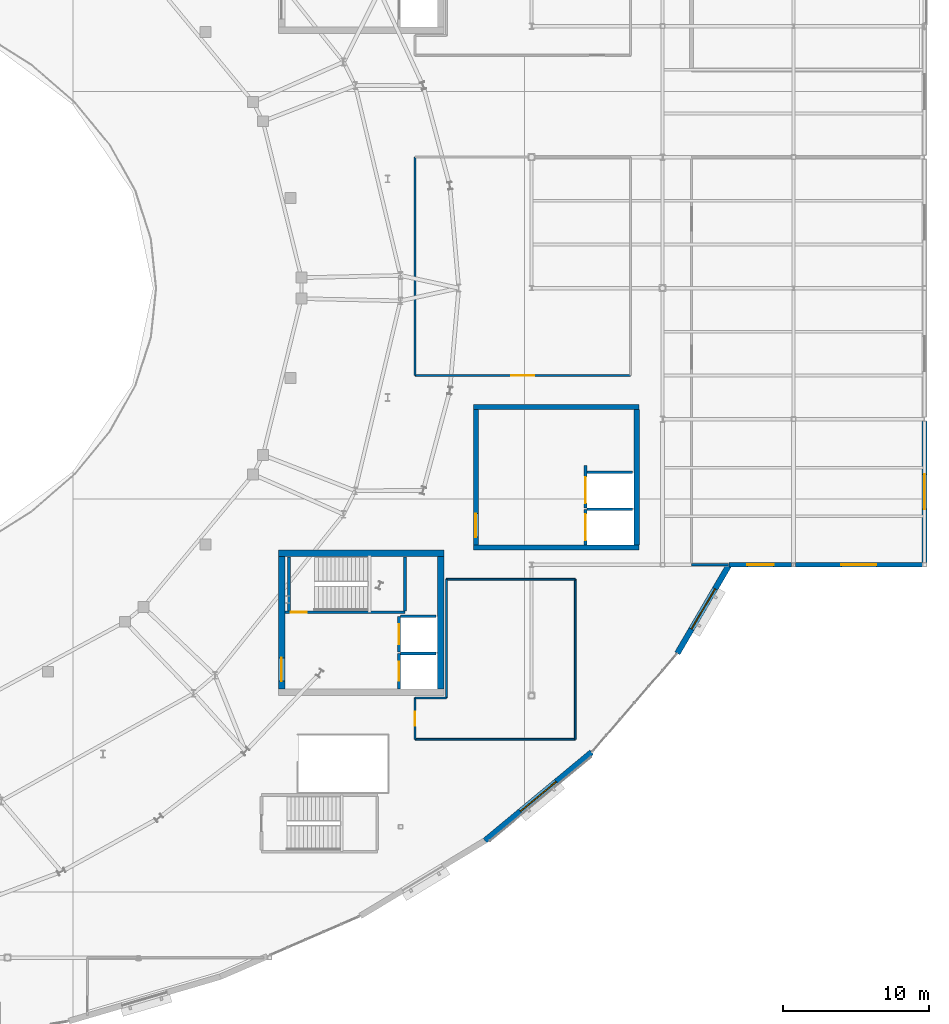
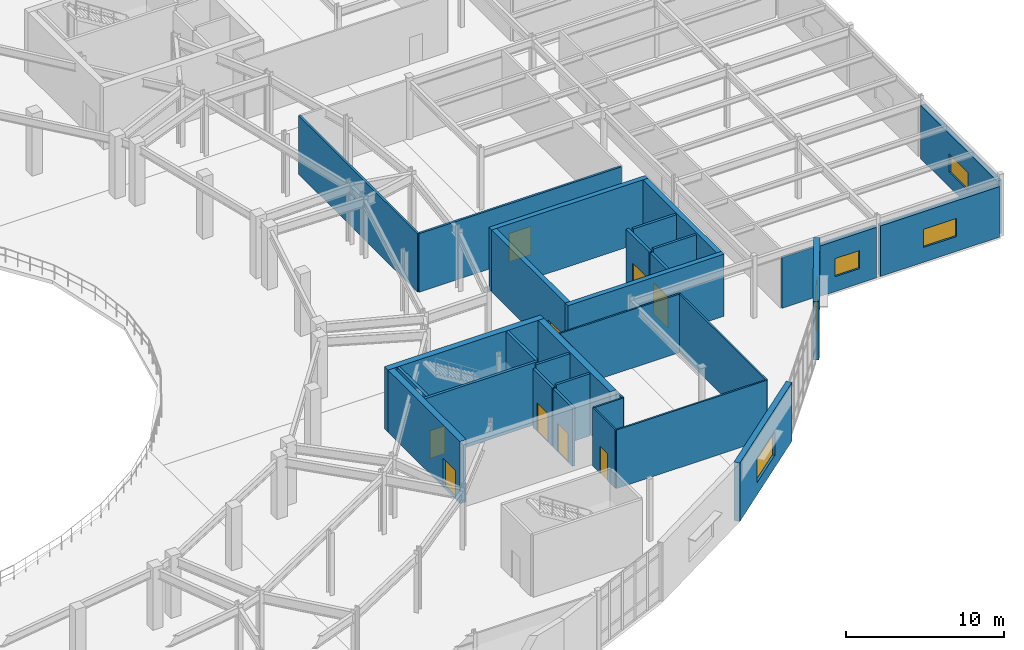
# One storey, part 65 of 86: 32 walls, 9 doors, 5 windows, 14 openings.
"""IFC4 building model written with IfcOpenShell, lengths in metres."""

from ifc_helpers import new_model, si_unit, direction, frame, frame_2d, origin, place, context, subcontext, project, spatial, rectangle, extrude, material, layer, layer_set, type_object, element, fill, save


model = new_model("IFC4")

# Units and contexts
model_context = context("Model", 3, precision=1e-05, world=origin(), true_north=direction((0.0, 1.0)))
body_context = subcontext(model_context, "Body", "Model", "MODEL_VIEW")
ifc_project = project(units=[si_unit("LENGTHUNIT", "METRE"), si_unit("AREAUNIT", "SQUARE_METRE"), si_unit("VOLUMEUNIT", "CUBIC_METRE"), si_unit("PLANEANGLEUNIT", "RADIAN"), si_unit("MASSUNIT", "GRAM", prefix="KILO")], contexts=[model_context])

# Site, building, storey
site_placement = place(None, origin())
site = spatial("IfcSite", under=ifc_project, at=site_placement, CompositionType="ELEMENT")
building_placement = place(site_placement, origin())
building = spatial("IfcBuilding", under=site, at=building_placement, Name="Glasvene Arena", CompositionType="ELEMENT")
storey_placement = place(building_placement, frame((0.0, 0.0, 5.39990234375)))
storey = spatial("IfcBuildingStorey", under=building, at=storey_placement, Name="L01", CompositionType="ELEMENT", Elevation=5.39990234375)

# Walls
ifc_material_1 = material(Name="Concrete C40/50", Category="concrete")
ifc_layer_1 = layer(ifc_material_1, 0.35009765625)
ifc_layer_set_1 = layer_set([ifc_layer_1], Name="Concrete C40/50")
wall_type_1 = type_object("IfcWallType", Name="WL-CORE-350", PredefinedType="SHEAR", material=ifc_layer_set_1)
for number, where, z_axis, x_axis, name in (
    (1, (143.0, 55.175048828125, 0.0), (0.0, 0.0, 1.0), (1.0, 0.0, 0.0), "Core C6 Production shear wall S L01"),
    (2, (143.0, 64.824951171875, 0.0), (0.0, 0.0, 1.0), (1.0, 0.0, 0.0), "Core C6 Production shear wall N L01"),
):
    element("IfcWall", number, at=place(storey_placement, frame(where, z_axis=z_axis, x_axis=x_axis)), inside=storey, type_object=wall_type_1, Name=name, PredefinedType="SHEAR", context=body_context, shape_type="SweptSolid", body=[
        extrude(rectangle(XDim=11.39990234375, YDim=0.35009765625, at=frame_2d((5.699951171875, 0.0))), origin(), (0.0, 0.0, 1.0), 4.800048828125),
    ])

# Wall, opening, door
wall_1_placement = place(storey_placement, frame((143.175048828125, 55.35009765625, 0.0), z_axis=(0.0, 0.0, 1.0), x_axis=(0.0, 1.0, 0.0)))
wall_1 = element("IfcWall", 3, at=wall_1_placement, inside=storey, type_object=wall_type_1, Name="Core C6 Production shear wall W L01", PredefinedType="SHEAR", context=body_context, shape_type="SweptSolid", body=[
    extrude(rectangle(XDim=9.2998046875, YDim=0.35009765625, at=frame_2d((4.64990234375, 0.0))), origin(), (0.0, 0.0, 1.0), 4.800048828125),
])
opening_1_placement = place(wall_1_placement, frame((0.550048828125, 0.0, 0.0)))
opening_1 = element("IfcOpeningElement", 4, at=opening_1_placement, cuts=wall_1, Name="Opening D-02", PredefinedType="OPENING", context=body_context, shape_type="SweptSolid", body=[
    extrude(rectangle(XDim=1.60009765625, YDim=2.199951171875, at=frame_2d((0.800048828125, 1.10009765625))), frame((0.0, 0.18505859375, 0.0), z_axis=(0.0, -1.0, 0.0), x_axis=(1.0, 0.0, 0.0)), (0.0, 0.0, 1.0), 0.3701171875),
])
ifc_material_2 = material(Name="Painted fire-resisting steel", Category="steel")
door_type_1 = type_object("IfcDoorType", Name="DR-FD60-1600", OperationType="DOUBLE_DOOR_SINGLE_SWING", PredefinedType="DOOR", material=ifc_material_2)
door_1_placement = place(opening_1_placement, frame((1.60009765625, 0.0, 0.0), z_axis=(0.0, 0.0, 1.0), x_axis=(-1.0, 0.0, 0.0)))
door_1 = element("IfcDoor", 5, at=door_1_placement, inside=storey, type_object=door_type_1, Name="Core firefighting lobby concourse door C6-L01", OperationType="DOUBLE_DOOR_SINGLE_SWING", OverallHeight=2.199951171875, OverallWidth=1.60009765625, PredefinedType="DOOR", context=body_context, shape_type="SweptSolid", body=[
    extrude(rectangle(XDim=1.60009765625, YDim=2.199951171875, at=frame_2d((0.800048828125, 1.10009765625))), frame((0.0, 0.02490234375, 0.0), z_axis=(0.0, -1.0, 0.0), x_axis=(1.0, 0.0, 0.0)), (0.0, 0.0, 1.0), 0.050048828125),
])
fill(opening_1, door_1)

# Walls
wall_2_placement = place(storey_placement, frame((154.22509765625, 55.35009765625, 0.0), z_axis=(0.0, 0.0, 1.0), x_axis=(0.0, 1.0, 0.0)))
element("IfcWall", 6, at=wall_2_placement, inside=storey, type_object=wall_type_1, Name="Core C6 Production shear wall E L01", PredefinedType="SHEAR", context=body_context, shape_type="SweptSolid", body=[
    extrude(rectangle(XDim=9.2998046875, YDim=0.35009765625, at=frame_2d((4.64990234375, 0.0))), origin(), (0.0, 0.0, 1.0), 4.800048828125),
])
ifc_layer_2 = layer(ifc_material_1, 0.449951171875)
ifc_layer_set_2 = layer_set([ifc_layer_2], Name="Concrete C40/50")
wall_type_2 = type_object("IfcWallType", Name="WL-CORE-450", PredefinedType="SHEAR", material=ifc_layer_set_2)
wall_3_placement = place(storey_placement, frame((129.60009765625, 54.77490234375, 0.0), z_axis=(0.0, 0.0, 1.0), x_axis=(1.0, 0.0, 0.0)))
element("IfcWall", 7, at=wall_3_placement, inside=storey, type_object=wall_type_2, Name="Core C4 South-East shear wall N L01", PredefinedType="SHEAR", context=body_context, shape_type="SweptSolid", body=[
    extrude(rectangle(XDim=11.39990234375, YDim=0.449951171875, at=frame_2d((5.699951171875, 0.0))), origin(), (0.0, 0.0, 1.0), 4.800048828125),
])

# Wall, opening, door
wall_4_placement = place(storey_placement, frame((129.824951171875, 45.449951171875, 0.0), z_axis=(0.0, 0.0, 1.0), x_axis=(0.0, 1.0, 0.0)))
wall_4 = element("IfcWall", 8, at=wall_4_placement, inside=storey, type_object=wall_type_2, Name="Core C4 South-East shear wall W L01", PredefinedType="SHEAR", context=body_context, shape_type="SweptSolid", body=[
    extrude(rectangle(XDim=9.10009765625, YDim=0.449951171875, at=frame_2d((4.550048828125, 0.0))), origin(), (0.0, 0.0, 1.0), 4.800048828125),
])
opening_2_placement = place(wall_4_placement, frame((0.550048828125, 0.0, 0.0)))
opening_2 = element("IfcOpeningElement", 9, at=opening_2_placement, cuts=wall_4, Name="Opening D-02", PredefinedType="OPENING", context=body_context, shape_type="SweptSolid", body=[
    extrude(rectangle(XDim=1.60009765625, YDim=2.199951171875, at=frame_2d((0.800048828125, 1.10009765625))), frame((0.0, 0.23486328125, 0.0), z_axis=(0.0, -1.0, 0.0), x_axis=(1.0, 0.0, 0.0)), (0.0, 0.0, 1.0), 0.469970703125),
])
door_2_placement = place(opening_2_placement, frame((1.60009765625, 0.0, 0.0), z_axis=(0.0, 0.0, 1.0), x_axis=(-1.0, 0.0, 0.0)))
door_2 = element("IfcDoor", 10, at=door_2_placement, inside=storey, type_object=door_type_1, Name="Core firefighting lobby concourse door C4-L01", OperationType="DOUBLE_DOOR_SINGLE_SWING", OverallHeight=2.199951171875, OverallWidth=1.60009765625, PredefinedType="DOOR", context=body_context, shape_type="SweptSolid", body=[
    extrude(rectangle(XDim=1.60009765625, YDim=2.199951171875, at=frame_2d((0.800048828125, 1.10009765625))), frame((0.0, 0.02490234375, 0.0), z_axis=(0.0, -1.0, 0.0), x_axis=(1.0, 0.0, 0.0)), (0.0, 0.0, 1.0), 0.050048828125),
])
fill(opening_2, door_2)

# Wall
wall_5_placement = place(storey_placement, frame((140.77490234375, 45.449951171875, 0.0), z_axis=(0.0, 0.0, 1.0), x_axis=(0.0, 1.0, 0.0)))
element("IfcWall", 11, at=wall_5_placement, inside=storey, type_object=wall_type_2, Name="Core C4 South-East shear wall E L01", PredefinedType="SHEAR", context=body_context, shape_type="SweptSolid", body=[
    extrude(rectangle(XDim=9.10009765625, YDim=0.449951171875, at=frame_2d((4.550048828125, 0.0))), origin(), (0.0, 0.0, 1.0), 4.800048828125),
])

# Wall, opening, window
ifc_material_3 = material(Name="Coursed pale Irish limestone", Category="masonry")
ifc_layer_3 = layer(ifc_material_3, 0.39990234375)
ifc_layer_set_3 = layer_set([ifc_layer_3], Name="Coursed pale Irish limestone")
wall_type_3 = type_object("IfcWallType", Name="WL-EXT-LIM-400", PredefinedType="STANDARD", material=ifc_layer_set_3)
wall_6_placement = place(storey_placement, frame((160.580322265625, 54.0, 0.0), z_axis=(0.0, 0.0, 1.0), x_axis=(-0.505106237674, -0.863057175779, 0.0)))
wall_6 = element("IfcWall", 12, at=wall_6_placement, inside=storey, type_object=wall_type_3, Name="External facade wall EW-L01-0090", PredefinedType="STANDARD", context=body_context, shape_type="SweptSolid", body=[
    extrude(rectangle(XDim=7.051025390625, YDim=0.39990234375, at=frame_2d((3.525390625, 0.0))), origin(), (0.0, 0.0, 1.0), 4.52001953125),
])
opening_3_placement = place(wall_6_placement, frame((1.926025390625, 0.0, 0.949951171875)))
opening_3 = element("IfcOpeningElement", 13, at=opening_3_placement, cuts=wall_6, Name="Opening W-03", PredefinedType="OPENING", context=body_context, shape_type="SweptSolid", body=[
    extrude(rectangle(XDim=3.199951171875, YDim=1.800048828125, at=frame_2d((1.60009765625, 0.89990234375))), frame((0.0, 0.2099609375, 0.0), z_axis=(0.0, -1.0, 0.0), x_axis=(1.0, 0.0, 0.0)), (0.0, 0.0, 1.0), 0.419921875),
])
ifc_material_4 = material(Name="Low-emissivity laminated double glazing", Category="glass")
window_type_1 = type_object("IfcWindowType", Name="WN-CONC-320x180", PartitioningType="TRIPLE_PANEL_VERTICAL", PredefinedType="WINDOW", material=ifc_material_4)
window_1_placement = place(opening_3_placement, origin())
window_1 = element("IfcWindow", 14, at=window_1_placement, inside=storey, type_object=window_type_1, Name="Facade window WN-CONC-320x180 L01-0041", OverallHeight=1.800048828125, OverallWidth=3.199951171875, PartitioningType="SINGLE_PANEL", PredefinedType="WINDOW", context=body_context, shape_type="SweptSolid", body=[
    extrude(rectangle(XDim=3.199951171875, YDim=1.800048828125, at=frame_2d((1.60009765625, 0.89990234375))), frame((0.0, 0.030029296875, 0.0), z_axis=(0.0, -1.0, 0.0), x_axis=(1.0, 0.0, 0.0)), (0.0, 0.0, 1.0), 0.06005859375),
])
fill(opening_3, window_1)

wall_7_placement = place(storey_placement, frame((151.1279296875, 41.111083984375, 0.0), z_axis=(0.0, 0.0, 1.0), x_axis=(-0.770002821077, -0.638040481109, 0.0)))
wall_7 = element("IfcWall", 15, at=wall_7_placement, inside=storey, type_object=wall_type_3, Name="External facade wall EW-L01-0091", PredefinedType="STANDARD", context=body_context, shape_type="SweptSolid", body=[
    extrude(rectangle(XDim=9.509521484375, YDim=0.39990234375, at=frame_2d((4.7548828125, 0.0))), origin(), (0.0, 0.0, 1.0), 4.52001953125),
])
opening_4_placement = place(wall_7_placement, frame((3.155029296875, 0.0, 0.949951171875)))
opening_4 = element("IfcOpeningElement", 16, at=opening_4_placement, cuts=wall_7, Name="Opening W-03", PredefinedType="OPENING", context=body_context, shape_type="SweptSolid", body=[
    extrude(rectangle(XDim=3.199951171875, YDim=1.800048828125, at=frame_2d((1.60009765625, 0.89990234375))), frame((0.0, 0.2099609375, 0.0), z_axis=(0.0, -1.0, 0.0), x_axis=(1.0, 0.0, 0.0)), (0.0, 0.0, 1.0), 0.419921875),
])
window_2_placement = place(opening_4_placement, origin())
window_2 = element("IfcWindow", 17, at=window_2_placement, inside=storey, type_object=window_type_1, Name="Facade window WN-CONC-320x180 L01-0042", OverallHeight=1.800048828125, OverallWidth=3.199951171875, PartitioningType="SINGLE_PANEL", PredefinedType="WINDOW", context=body_context, shape_type="SweptSolid", body=[
    extrude(rectangle(XDim=3.199951171875, YDim=1.800048828125, at=frame_2d((1.60009765625, 0.89990234375))), frame((0.0, 0.030029296875, 0.0), z_axis=(0.0, -1.0, 0.0), x_axis=(1.0, 0.0, 0.0)), (0.0, 0.0, 1.0), 0.06005859375),
])
fill(opening_4, window_2)

ifc_material_5 = material(Name="Precast concrete C50/60", Category="concrete")
ifc_layer_4 = layer(ifc_material_5, 0.320068359375)
ifc_layer_set_4 = layer_set([ifc_layer_4], Name="Precast concrete C50/60")
wall_type_4 = type_object("IfcWallType", Name="WL-EXT-PRC-320", PredefinedType="STANDARD", material=ifc_layer_set_4)
wall_8_placement = place(storey_placement, frame((174.0, 63.867919921875, 0.0), z_axis=(0.0, 0.0, 1.0), x_axis=(0.0, -1.0, 0.0)))
wall_8 = element("IfcWall", 18, at=wall_8_placement, inside=storey, type_object=wall_type_4, Name="External facade wall EW-L01-0087", PredefinedType="STANDARD", context=body_context, shape_type="SweptSolid", body=[
    extrude(rectangle(XDim=9.7158203125, YDim=0.320068359375, at=frame_2d((4.85791015625, 0.0))), origin(), (0.0, 0.0, 1.0), 4.114990234375),
])
opening_5_placement = place(wall_8_placement, frame((3.657958984375, 0.0, 1.14990234375)))
opening_5 = element("IfcOpeningElement", 19, at=opening_5_placement, cuts=wall_8, Name="Opening W-18", PredefinedType="OPENING", context=body_context, shape_type="SweptSolid", body=[
    extrude(rectangle(XDim=2.39990234375, YDim=1.39990234375, at=frame_2d((1.199951171875, 0.699951171875))), frame((0.0, 0.169921875, 0.0), z_axis=(0.0, -1.0, 0.0), x_axis=(1.0, 0.0, 0.0)), (0.0, 0.0, 1.0), 0.340087890625),
])
window_type_2 = type_object("IfcWindowType", Name="WN-LOUV-240x140", PartitioningType="DOUBLE_PANEL_HORIZONTAL", PredefinedType="WINDOW", material=ifc_material_4)
window_3_placement = place(opening_5_placement, origin())
window_3 = element("IfcWindow", 20, at=window_3_placement, inside=storey, type_object=window_type_2, Name="Facade window WN-LOUV-240x140 L01-0038", OverallHeight=1.39990234375, OverallWidth=2.39990234375, PartitioningType="SINGLE_PANEL", PredefinedType="WINDOW", context=body_context, shape_type="SweptSolid", body=[
    extrude(rectangle(XDim=2.39990234375, YDim=1.39990234375, at=frame_2d((1.199951171875, 0.699951171875))), frame((0.0, 0.030029296875, 0.0), z_axis=(0.0, -1.0, 0.0), x_axis=(1.0, 0.0, 0.0)), (0.0, 0.0, 1.0), 0.06005859375),
])
fill(opening_5, window_3)

wall_9_placement = place(storey_placement, frame((173.847900390625, 54.0, 0.0), z_axis=(0.0, 0.0, 1.0), x_axis=(-1.0, 0.0, 0.0)))
wall_9 = element("IfcWall", 21, at=wall_9_placement, inside=storey, type_object=wall_type_4, Name="External facade wall EW-L01-0088", PredefinedType="STANDARD", context=body_context, shape_type="SweptSolid", body=[
    extrude(rectangle(XDim=8.7177734375, YDim=0.320068359375, at=frame_2d((4.35888671875, 0.0))), origin(), (0.0, 0.0, 1.0), 3.907470703125),
])
opening_6_placement = place(wall_9_placement, frame((3.158935546875, 0.0, 1.14990234375)))
opening_6 = element("IfcOpeningElement", 22, at=opening_6_placement, cuts=wall_9, Name="Opening W-18", PredefinedType="OPENING", context=body_context, shape_type="SweptSolid", body=[
    extrude(rectangle(XDim=2.39990234375, YDim=1.39990234375, at=frame_2d((1.199951171875, 0.699951171875))), frame((0.0, 0.169921875, 0.0), z_axis=(0.0, -1.0, 0.0), x_axis=(1.0, 0.0, 0.0)), (0.0, 0.0, 1.0), 0.340087890625),
])
window_4_placement = place(opening_6_placement, origin())
window_4 = element("IfcWindow", 23, at=window_4_placement, inside=storey, type_object=window_type_2, Name="Facade window WN-LOUV-240x140 L01-0039", OverallHeight=1.39990234375, OverallWidth=2.39990234375, PartitioningType="SINGLE_PANEL", PredefinedType="WINDOW", context=body_context, shape_type="SweptSolid", body=[
    extrude(rectangle(XDim=2.39990234375, YDim=1.39990234375, at=frame_2d((1.199951171875, 0.699951171875))), frame((0.0, 0.030029296875, 0.0), z_axis=(0.0, -1.0, 0.0), x_axis=(1.0, 0.0, 0.0)), (0.0, 0.0, 1.0), 0.06005859375),
])
fill(opening_6, window_4)

wall_10_placement = place(storey_placement, frame((164.869873046875, 54.0, 0.0), z_axis=(0.0, 0.0, 1.0), x_axis=(-1.0, 0.0, 0.0)))
wall_10 = element("IfcWall", 24, at=wall_10_placement, inside=storey, type_object=wall_type_4, Name="External facade wall EW-L01-0089", PredefinedType="STANDARD", context=body_context, shape_type="SweptSolid", body=[
    extrude(rectangle(XDim=4.28955078125, YDim=0.320068359375, at=frame_2d((2.144775390625, 0.0))), origin(), (0.0, 0.0, 1.0), 3.907470703125),
])
opening_7_placement = place(wall_10_placement, frame((1.2451171875, 0.0, 1.14990234375)))
opening_7 = element("IfcOpeningElement", 25, at=opening_7_placement, cuts=wall_10, Name="Opening W-19", PredefinedType="OPENING", context=body_context, shape_type="SweptSolid", body=[
    extrude(rectangle(XDim=1.800048828125, YDim=1.39990234375, at=frame_2d((0.89990234375, 0.699951171875))), frame((0.0, 0.169921875, 0.0), z_axis=(0.0, -1.0, 0.0), x_axis=(1.0, 0.0, 0.0)), (0.0, 0.0, 1.0), 0.340087890625),
])
window_type_3 = type_object("IfcWindowType", Name="WN-LOUV-180x140", PartitioningType="SINGLE_PANEL", PredefinedType="WINDOW", material=ifc_material_4)
window_5_placement = place(opening_7_placement, origin())
window_5 = element("IfcWindow", 26, at=window_5_placement, inside=storey, type_object=window_type_3, Name="Facade window WN-LOUV-180x140 L01-0040", OverallHeight=1.39990234375, OverallWidth=1.800048828125, PartitioningType="SINGLE_PANEL", PredefinedType="WINDOW", context=body_context, shape_type="SweptSolid", body=[
    extrude(rectangle(XDim=1.800048828125, YDim=1.39990234375, at=frame_2d((0.89990234375, 0.699951171875))), frame((0.0, 0.030029296875, 0.0), z_axis=(0.0, -1.0, 0.0), x_axis=(1.0, 0.0, 0.0)), (0.0, 0.0, 1.0), 0.06005859375),
])
fill(opening_7, window_5)

# Walls
ifc_material_6 = material(Name="Lightweight gypsum metal-stud partition")
ifc_layer_5 = layer(ifc_material_6, 0.1201171875)
ifc_layer_set_5 = layer_set([ifc_layer_5], Name="Lightweight gypsum metal-stud partition")
wall_type_5 = type_object("IfcWallType", Name="WL-PART-120", PredefinedType="PARTITIONING", material=ifc_layer_set_5)
wall_11_placement = place(storey_placement, frame((141.14990234375, 53.0, 0.0), z_axis=(0.0, 0.0, 1.0), x_axis=(1.0, 0.0, 0.0)))
element("IfcWall", 27, at=wall_11_placement, inside=storey, type_object=wall_type_5, Name="Interior partition wall IW-L01-0151 (Concourse Concession Bar East)", PredefinedType="PARTITIONING", context=body_context, shape_type="SweptSolid", body=[
    extrude(rectangle(XDim=8.85009765625, YDim=0.1201171875, at=frame_2d((4.425048828125, 0.0))), origin(), (0.0, 0.0, 1.0), 4.52001953125),
])
for number, where, z_axis, x_axis, name in (
    (28, (150.0, 53.0, 0.0), (0.0, 0.0, 1.0), (0.0, -1.0, 0.0), "Interior partition wall IW-L01-0152 (Concourse Concession Bar East)"),
    (29, (150.0, 42.0, 0.0), (0.0, 0.0, 1.0), (-1.0, 0.0, 0.0), "Interior partition wall IW-L01-0153 (Concourse Concession Bar East)"),
):
    element("IfcWall", number, at=place(storey_placement, frame(where, z_axis=z_axis, x_axis=x_axis)), inside=storey, type_object=wall_type_5, Name=name, PredefinedType="PARTITIONING", context=body_context, shape_type="SweptSolid", body=[
        extrude(rectangle(XDim=11.0, YDim=0.1201171875, at=frame_2d((5.5, 0.0))), origin(), (0.0, 0.0, 1.0), 4.52001953125),
    ])

# Wall, opening, door
wall_12_placement = place(storey_placement, frame((139.0, 42.0, 0.0), z_axis=(0.0, 0.0, 1.0), x_axis=(0.0, 1.0, 0.0)))
wall_12 = element("IfcWall", 30, at=wall_12_placement, inside=storey, type_object=wall_type_5, Name="Interior partition wall IW-L01-0154 (Concourse Concession Bar East)", PredefinedType="PARTITIONING", context=body_context, shape_type="SweptSolid", body=[
    extrude(rectangle(XDim=2.85009765625, YDim=0.1201171875, at=frame_2d((1.425048828125, 0.0))), origin(), (0.0, 0.0, 1.0), 4.52001953125),
])
opening_8_placement = place(wall_12_placement, frame((0.949951171875, 0.0, 0.0)))
opening_8 = element("IfcOpeningElement", 31, at=opening_8_placement, cuts=wall_12, Name="Opening D-07", PredefinedType="OPENING", context=body_context, shape_type="SweptSolid", body=[
    extrude(rectangle(XDim=0.949951171875, YDim=2.10009765625, at=frame_2d((0.47509765625, 1.050048828125))), frame((0.0, 0.070068359375, 0.0), z_axis=(0.0, -1.0, 0.0), x_axis=(1.0, 0.0, 0.0)), (0.0, 0.0, 1.0), 0.14013671875),
])
ifc_material_7 = material(Name="European oak fire-resisting timber", Category="wood")
door_type_2 = type_object("IfcDoorType", Name="DR-FD30-950", OperationType="NOTDEFINED", PredefinedType="DOOR", material=ifc_material_7)
door_3_placement = place(opening_8_placement, origin())
door_3 = element("IfcDoor", 32, at=door_3_placement, inside=storey, type_object=door_type_2, Name="Interior door DR-FD30-950 (Concourse Concession Bar East)", OperationType="SINGLE_SWING_LEFT", OverallHeight=2.10009765625, OverallWidth=0.949951171875, PredefinedType="DOOR", context=body_context, shape_type="SweptSolid", body=[
    extrude(rectangle(XDim=0.949951171875, YDim=2.10009765625, at=frame_2d((0.47509765625, 1.050048828125))), frame((0.0, 0.02490234375, 0.0), z_axis=(0.0, -1.0, 0.0), x_axis=(1.0, 0.0, 0.0)), (0.0, 0.0, 1.0), 0.050048828125),
])
fill(opening_8, door_3)

# Walls
wall_13_placement = place(storey_placement, frame((139.0, 44.85009765625, 0.0), z_axis=(0.0, 0.0, 1.0), x_axis=(1.0, 0.0, 0.0)))
element("IfcWall", 33, at=wall_13_placement, inside=storey, type_object=wall_type_5, Name="Interior partition wall IW-L01-0155 (Concourse Concession Bar East)", PredefinedType="PARTITIONING", context=body_context, shape_type="SweptSolid", body=[
    extrude(rectangle(XDim=2.14990234375, YDim=0.1201171875, at=frame_2d((1.074951171875, 0.0))), origin(), (0.0, 0.0, 1.0), 4.52001953125),
])
wall_14_placement = place(storey_placement, frame((141.14990234375, 44.85009765625, 0.0), z_axis=(0.0, 0.0, 1.0), x_axis=(0.0, 1.0, 0.0)))
element("IfcWall", 34, at=wall_14_placement, inside=storey, type_object=wall_type_5, Name="Interior partition wall IW-L01-0156 (Concourse Concession Bar East)", PredefinedType="PARTITIONING", context=body_context, shape_type="SweptSolid", body=[
    extrude(rectangle(XDim=8.14990234375, YDim=0.1201171875, at=frame_2d((4.074951171875, 0.0))), origin(), (0.0, 0.0, 1.0), 4.52001953125),
])

# Wall, opening, door
ifc_material_8 = material(Name="Insulated acoustic metal-stud partition")
ifc_layer_6 = layer(ifc_material_8, 0.14990234375)
ifc_layer_set_6 = layer_set([ifc_layer_6], Name="Insulated acoustic metal-stud partition")
wall_type_6 = type_object("IfcWallType", Name="WL-PART-150", PredefinedType="PARTITIONING", material=ifc_layer_set_6)
wall_15_placement = place(storey_placement, frame((153.800048828125, 67.0, 0.0), z_axis=(0.0, 0.0, 1.0), x_axis=(-1.0, 0.0, 0.0)))
wall_15 = element("IfcWall", 35, at=wall_15_placement, inside=storey, type_object=wall_type_6, Name="Interior partition wall IW-L01-0185 (Event Catering Central Kitchen)", PredefinedType="PARTITIONING", context=body_context, shape_type="SweptSolid", body=[
    extrude(rectangle(XDim=14.800048828125, YDim=0.14990234375, at=frame_2d((7.39990234375, 0.0))), origin(), (0.0, 0.0, 1.0), 4.52001953125),
])
opening_9_placement = place(wall_15_placement, frame((6.60009765625, 0.0, 0.0)))
opening_9 = element("IfcOpeningElement", 36, at=opening_9_placement, cuts=wall_15, Name="Opening D-02", PredefinedType="OPENING", context=body_context, shape_type="SweptSolid", body=[
    extrude(rectangle(XDim=1.60009765625, YDim=2.199951171875, at=frame_2d((0.800048828125, 1.10009765625))), frame((0.0, 0.0849609375, 0.0), z_axis=(0.0, -1.0, 0.0), x_axis=(1.0, 0.0, 0.0)), (0.0, 0.0, 1.0), 0.169921875),
])
door_4_placement = place(opening_9_placement, origin())
door_4 = element("IfcDoor", 37, at=door_4_placement, inside=storey, type_object=door_type_1, Name="Interior door DR-FD60-1600 (Event Catering Central Kitchen)", OperationType="DOUBLE_DOOR_SINGLE_SWING", OverallHeight=2.199951171875, OverallWidth=1.60009765625, PredefinedType="DOOR", context=body_context, shape_type="SweptSolid", body=[
    extrude(rectangle(XDim=1.60009765625, YDim=2.199951171875, at=frame_2d((0.800048828125, 1.10009765625))), frame((0.0, 0.02490234375, 0.0), z_axis=(0.0, -1.0, 0.0), x_axis=(1.0, 0.0, 0.0)), (0.0, 0.0, 1.0), 0.050048828125),
])
fill(opening_9, door_4)

# Walls
wall_16_placement = place(storey_placement, frame((139.0, 67.0, 0.0), z_axis=(0.0, 0.0, 1.0), x_axis=(0.0, 1.0, 0.0)))
element("IfcWall", 38, at=wall_16_placement, inside=storey, type_object=wall_type_6, Name="Interior partition wall IW-L01-0186 (Event Catering Central Kitchen)", PredefinedType="PARTITIONING", context=body_context, shape_type="SweptSolid", body=[
    extrude(rectangle(XDim=15.0, YDim=0.14990234375, at=frame_2d((7.5, 0.0))), origin(), (0.0, 0.0, 1.0), 4.52001953125),
])
wall_17_placement = place(storey_placement, frame((160.540283203125, 54.0, 0.0), z_axis=(0.0, 0.0, 1.0), x_axis=(-1.0, 0.0, 0.0)))
element("IfcWall", 39, at=wall_17_placement, inside=storey, type_object=wall_type_6, Name="Interior partition wall IW-L01-0195 (Lighting and Audio Rigging Store)", PredefinedType="PARTITIONING", context=body_context, shape_type="SweptSolid", body=[
    extrude(rectangle(XDim=2.540283203125, YDim=0.14990234375, at=frame_2d((1.27001953125, 0.0))), origin(), (0.0, 0.0, 1.0), 3.907470703125),
])

# Wall, opening, door
ifc_layer_7 = layer(ifc_material_1, 0.199951171875)
ifc_layer_set_7 = layer_set([ifc_layer_7], Name="Concrete C40/50")
wall_type_7 = type_object("IfcWallType", Name="WL-SHAFT-200", PredefinedType="SHEAR", material=ifc_layer_set_7)
wall_18_placement = place(storey_placement, frame((137.89990234375, 45.449951171875, 0.0), z_axis=(0.0, 0.0, 1.0), x_axis=(0.0, 1.0, 0.0)))
wall_18 = element("IfcWall", 40, at=wall_18_placement, inside=storey, type_object=wall_type_7, Name="Lift shaft front wall FFL-04 L01", PredefinedType="SHEAR", context=body_context, shape_type="SweptSolid", body=[
    extrude(rectangle(XDim=2.449951171875, YDim=0.199951171875, at=frame_2d((1.22509765625, 0.0))), origin(), (0.0, 0.0, 1.0), 4.52001953125),
])
opening_10_placement = place(wall_18_placement, frame((0.574951171875, 0.0, 0.0)))
opening_10 = element("IfcOpeningElement", 41, at=opening_10_placement, cuts=wall_18, Name="Opening LD-FF", PredefinedType="OPENING", context=body_context, shape_type="SweptSolid", body=[
    extrude(rectangle(XDim=1.300048828125, YDim=2.199951171875, at=frame_2d((0.64990234375, 1.10009765625))), frame((0.0, 0.10986328125, 0.0), z_axis=(0.0, -1.0, 0.0), x_axis=(1.0, 0.0, 0.0)), (0.0, 0.0, 1.0), 0.219970703125),
])
ifc_material_9 = material(Name="Brushed stainless steel", Category="steel")
door_type_3 = type_object("IfcDoorType", Name="LD-FFL-1300", OperationType="DOUBLE_DOOR_SLIDING", PredefinedType="DOOR", material=ifc_material_9)
door_5_placement = place(opening_10_placement, origin())
door_5 = element("IfcDoor", 42, at=door_5_placement, inside=storey, type_object=door_type_3, Name="Lift sliding landing door LD-FFL-04-L01", OperationType="DOUBLE_DOOR_SLIDING", OverallHeight=2.199951171875, OverallWidth=1.300048828125, PredefinedType="DOOR", context=body_context, shape_type="SweptSolid", body=[
    extrude(rectangle(XDim=1.300048828125, YDim=2.199951171875, at=frame_2d((0.64990234375, 1.10009765625))), frame((0.0, 0.02490234375, 0.0), z_axis=(0.0, -1.0, 0.0), x_axis=(1.0, 0.0, 0.0)), (0.0, 0.0, 1.0), 0.050048828125),
])
fill(opening_10, door_5)

wall_19_placement = place(storey_placement, frame((137.89990234375, 48.0, 0.0), z_axis=(0.0, 0.0, 1.0), x_axis=(0.0, 1.0, 0.0)))
wall_19 = element("IfcWall", 43, at=wall_19_placement, inside=storey, type_object=wall_type_7, Name="Lift shaft front wall PL-04 L01", PredefinedType="SHEAR", context=body_context, shape_type="SweptSolid", body=[
    extrude(rectangle(XDim=2.449951171875, YDim=0.199951171875, at=frame_2d((1.22509765625, 0.0))), origin(), (0.0, 0.0, 1.0), 4.52001953125),
])
opening_11_placement = place(wall_19_placement, frame((0.52490234375, 0.0, 0.0)))
opening_11 = element("IfcOpeningElement", 44, at=opening_11_placement, cuts=wall_19, Name="Opening LD-PL", PredefinedType="OPENING", context=body_context, shape_type="SweptSolid", body=[
    extrude(rectangle(XDim=1.39990234375, YDim=2.199951171875, at=frame_2d((0.699951171875, 1.10009765625))), frame((0.0, 0.10986328125, 0.0), z_axis=(0.0, -1.0, 0.0), x_axis=(1.0, 0.0, 0.0)), (0.0, 0.0, 1.0), 0.219970703125),
])
door_type_4 = type_object("IfcDoorType", Name="LD-PL-1400", OperationType="DOUBLE_DOOR_SLIDING", PredefinedType="DOOR", material=ifc_material_9)
door_6_placement = place(opening_11_placement, origin())
door_6 = element("IfcDoor", 45, at=door_6_placement, inside=storey, type_object=door_type_4, Name="Lift sliding landing door LD-PL-04-L01", OperationType="DOUBLE_DOOR_SLIDING", OverallHeight=2.199951171875, OverallWidth=1.39990234375, PredefinedType="DOOR", context=body_context, shape_type="SweptSolid", body=[
    extrude(rectangle(XDim=1.39990234375, YDim=2.199951171875, at=frame_2d((0.699951171875, 1.10009765625))), frame((0.0, 0.02490234375, 0.0), z_axis=(0.0, -1.0, 0.0), x_axis=(1.0, 0.0, 0.0)), (0.0, 0.0, 1.0), 0.050048828125),
])
fill(opening_11, door_6)

wall_20_placement = place(storey_placement, frame((150.699951171875, 55.35009765625, 0.0), z_axis=(0.0, 0.0, 1.0), x_axis=(0.0, 1.0, 0.0)))
wall_20 = element("IfcWall", 46, at=wall_20_placement, inside=storey, type_object=wall_type_7, Name="Lift shaft front wall GL-01 L01", PredefinedType="SHEAR", context=body_context, shape_type="SweptSolid", body=[
    extrude(rectangle(XDim=2.449951171875, YDim=0.199951171875, at=frame_2d((1.22509765625, 0.0))), origin(), (0.0, 0.0, 1.0), 4.52001953125),
])
opening_12_placement = place(wall_20_placement, frame((0.324951171875, 0.0, 0.0)))
opening_12 = element("IfcOpeningElement", 47, at=opening_12_placement, cuts=wall_20, Name="Opening LD-GL", PredefinedType="OPENING", context=body_context, shape_type="SweptSolid", body=[
    extrude(rectangle(XDim=1.800048828125, YDim=2.39990234375, at=frame_2d((0.89990234375, 1.199951171875))), frame((0.0, 0.10986328125, 0.0), z_axis=(0.0, -1.0, 0.0), x_axis=(1.0, 0.0, 0.0)), (0.0, 0.0, 1.0), 0.219970703125),
])
door_type_5 = type_object("IfcDoorType", Name="LD-GL-1800", OperationType="DOUBLE_DOOR_SLIDING", PredefinedType="DOOR", material=ifc_material_9)
door_7_placement = place(opening_12_placement, origin())
door_7 = element("IfcDoor", 48, at=door_7_placement, inside=storey, type_object=door_type_5, Name="Lift sliding landing door LD-GL-01-L01", OperationType="DOUBLE_DOOR_SLIDING", OverallHeight=2.39990234375, OverallWidth=1.800048828125, PredefinedType="DOOR", context=body_context, shape_type="SweptSolid", body=[
    extrude(rectangle(XDim=1.800048828125, YDim=2.39990234375, at=frame_2d((0.89990234375, 1.199951171875))), frame((0.0, 0.02490234375, 0.0), z_axis=(0.0, -1.0, 0.0), x_axis=(1.0, 0.0, 0.0)), (0.0, 0.0, 1.0), 0.050048828125),
])
fill(opening_12, door_7)

wall_21_placement = place(storey_placement, frame((150.699951171875, 57.89990234375, 0.0), z_axis=(0.0, 0.0, 1.0), x_axis=(0.0, 1.0, 0.0)))
wall_21 = element("IfcWall", 49, at=wall_21_placement, inside=storey, type_object=wall_type_7, Name="Lift shaft front wall GL-02 L01", PredefinedType="SHEAR", context=body_context, shape_type="SweptSolid", body=[
    extrude(rectangle(XDim=2.927978515625, YDim=0.199951171875, at=frame_2d((1.4638671875, 0.0))), origin(), (0.0, 0.0, 1.0), 4.52001953125),
])
opening_13_placement = place(wall_21_placement, frame((0.324951171875, 0.0, 0.0)))
opening_13 = element("IfcOpeningElement", 50, at=opening_13_placement, cuts=wall_21, Name="Opening LD-GL", PredefinedType="OPENING", context=body_context, shape_type="SweptSolid", body=[
    extrude(rectangle(XDim=1.800048828125, YDim=2.39990234375, at=frame_2d((0.89990234375, 1.199951171875))), frame((0.0, 0.10986328125, 0.0), z_axis=(0.0, -1.0, 0.0), x_axis=(1.0, 0.0, 0.0)), (0.0, 0.0, 1.0), 0.219970703125),
])
door_8_placement = place(opening_13_placement, origin())
door_8 = element("IfcDoor", 51, at=door_8_placement, inside=storey, type_object=door_type_5, Name="Lift sliding landing door LD-GL-02-L01", OperationType="DOUBLE_DOOR_SLIDING", OverallHeight=2.39990234375, OverallWidth=1.800048828125, PredefinedType="DOOR", context=body_context, shape_type="SweptSolid", body=[
    extrude(rectangle(XDim=1.800048828125, YDim=2.39990234375, at=frame_2d((0.89990234375, 1.199951171875))), frame((0.0, 0.02490234375, 0.0), z_axis=(0.0, -1.0, 0.0), x_axis=(1.0, 0.0, 0.0)), (0.0, 0.0, 1.0), 0.050048828125),
])
fill(opening_13, door_8)

wall_22_placement = place(storey_placement, frame((130.052001953125, 50.72998046875, 0.0), z_axis=(0.0, 0.0, 1.0), x_axis=(1.0, 0.0, 0.0)))
wall_22 = element("IfcWall", 52, at=wall_22_placement, inside=storey, type_object=wall_type_7, Name="Escape stair shaft wall ST-04 L01 S", PredefinedType="SHEAR", context=body_context, shape_type="SweptSolid", body=[
    extrude(rectangle(XDim=8.248046875, YDim=0.199951171875, at=frame_2d((4.1240234375, 0.0))), origin(), (0.0, 0.0, 1.0), 4.800048828125),
])
opening_14_placement = place(wall_22_placement, frame((0.39990234375, 0.0, 0.0)))
opening_14 = element("IfcOpeningElement", 53, at=opening_14_placement, cuts=wall_22, Name="Opening D-04", PredefinedType="OPENING", context=body_context, shape_type="SweptSolid", body=[
    extrude(rectangle(XDim=1.10009765625, YDim=2.14990234375, at=frame_2d((0.550048828125, 1.074951171875))), frame((0.0, 0.10986328125, 0.0), z_axis=(0.0, -1.0, 0.0), x_axis=(1.0, 0.0, 0.0)), (0.0, 0.0, 1.0), 0.219970703125),
])
door_type_6 = type_object("IfcDoorType", Name="DR-FD60-1100", OperationType="NOTDEFINED", PredefinedType="DOOR", material=ifc_material_2)
door_9_placement = place(opening_14_placement, frame((1.10009765625, 0.0, 0.0), z_axis=(0.0, 0.0, 1.0), x_axis=(-1.0, 0.0, 0.0)))
door_9 = element("IfcDoor", 54, at=door_9_placement, inside=storey, type_object=door_type_6, Name="Protected escape stair door ST-04 L01", OperationType="SINGLE_SWING_LEFT", OverallHeight=2.14990234375, OverallWidth=1.10009765625, PredefinedType="DOOR", context=body_context, shape_type="SweptSolid", body=[
    extrude(rectangle(XDim=1.10009765625, YDim=2.14990234375, at=frame_2d((0.550048828125, 1.074951171875))), frame((0.0, 0.02490234375, 0.0), z_axis=(0.0, -1.0, 0.0), x_axis=(1.0, 0.0, 0.0)), (0.0, 0.0, 1.0), 0.050048828125),
])
fill(opening_14, door_9)

# Walls
for number, where, z_axis, x_axis, name in (
    (55, (130.35009765625, 50.83203125, 0.0), (0.0, 0.0, 1.0), (0.0, 1.0, 0.0), "Escape stair shaft wall ST-04 L01 W"),
    (56, (138.300048828125, 50.83203125, 0.0), (0.0, 0.0, 1.0), (0.0, 1.0, 0.0), "Escape stair shaft wall ST-04 L01 E"),
):
    element("IfcWall", number, at=place(storey_placement, frame(where, z_axis=z_axis, x_axis=x_axis)), inside=storey, type_object=wall_type_7, Name=name, PredefinedType="SHEAR", context=body_context, shape_type="SweptSolid", body=[
        extrude(rectangle(XDim=3.68603515625, YDim=0.199951171875, at=frame_2d((1.843017578125, 0.0))), origin(), (0.0, 0.0, 1.0), 4.800048828125),
    ])
ifc_material_10 = material(Name="Moisture-resistant masonry blockwork", Category="masonry")
ifc_layer_8 = layer(ifc_material_10, 0.179931640625)
ifc_layer_set_8 = layer_set([ifc_layer_8], Name="Moisture-resistant masonry blockwork")
wall_type_8 = type_object("IfcWallType", Name="WL-WET-180", PredefinedType="PARTITIONING", material=ifc_layer_set_8)
for number, where, z_axis, x_axis, name in (
    (57, (138.0, 47.89990234375, 0.0), (0.0, 0.0, 1.0), (1.0, 0.0, 0.0), "Lift shaft divider wall C4 L01"),
    (58, (138.0, 50.449951171875, 0.0), (0.0, 0.0, 1.0), (1.0, 0.0, 0.0), "Lift shaft north enclosure wall C4 L01"),
):
    element("IfcWall", number, at=place(storey_placement, frame(where, z_axis=z_axis, x_axis=x_axis)), inside=storey, type_object=wall_type_8, Name=name, PredefinedType="PARTITIONING", context=body_context, shape_type="SweptSolid", body=[
        extrude(rectangle(XDim=2.449951171875, YDim=0.179931640625, at=frame_2d((1.22509765625, 0.0))), origin(), (0.0, 0.0, 1.0), 4.800048828125),
    ])
for number, where, z_axis, x_axis, name in (
    (59, (150.800048828125, 57.800048828125, 0.0), (0.0, 0.0, 1.0), (1.0, 0.0, 0.0), "Lift shaft divider wall C6 L01"),
    (60, (150.800048828125, 60.35009765625, 0.0), (0.0, 0.0, 1.0), (1.0, 0.0, 0.0), "Lift shaft north enclosure wall C6 L01"),
):
    element("IfcWall", number, at=place(storey_placement, frame(where, z_axis=z_axis, x_axis=x_axis)), inside=storey, type_object=wall_type_8, Name=name, PredefinedType="PARTITIONING", context=body_context, shape_type="SweptSolid", body=[
        extrude(rectangle(XDim=3.14990234375, YDim=0.179931640625, at=frame_2d((1.574951171875, 0.0))), origin(), (0.0, 0.0, 1.0), 4.800048828125),
    ])

save(model, "model.ifc")
